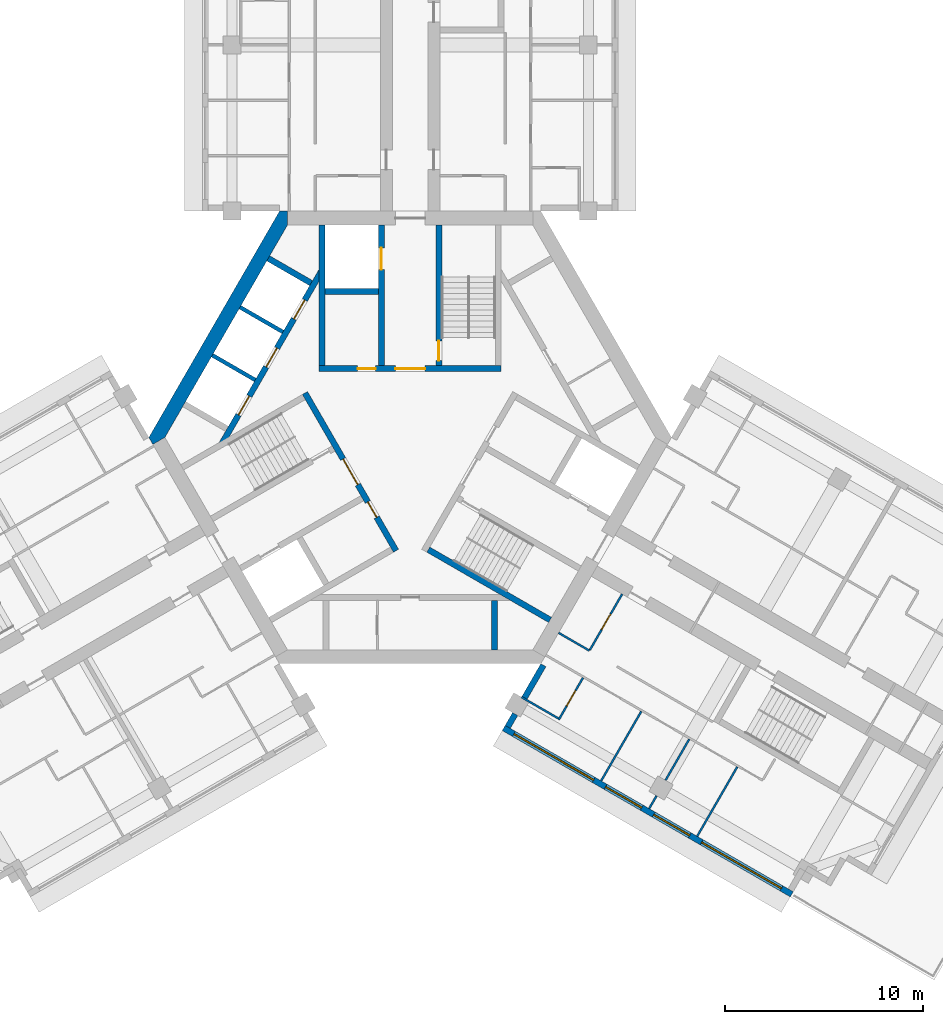
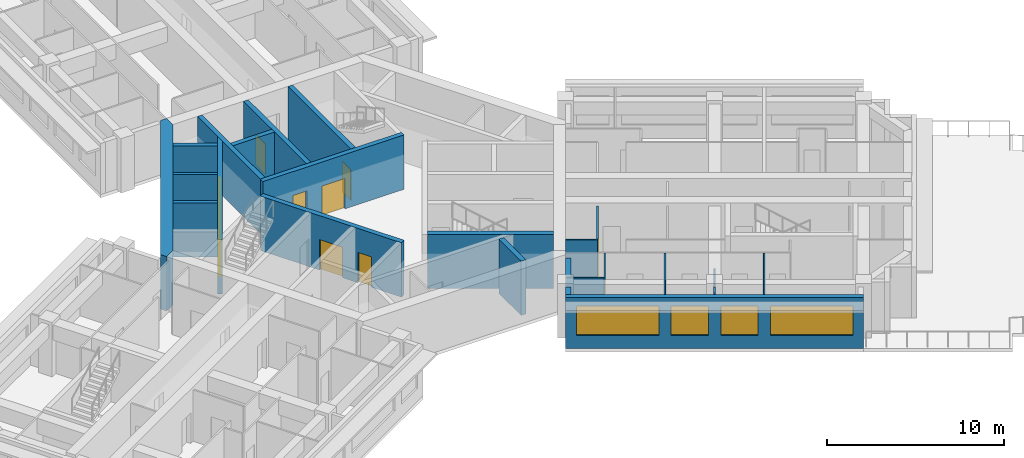
# One storey, part 4 of 11: 24 walls, 11 doors, 4 windows, 15 openings.
"""IFC4 building model written with IfcOpenShell, lengths in metres."""

from ifc_helpers import new_model, si_unit, direction, frame, frame_2d, origin, place, context, subcontext, project, spatial, polyline, rectangle, outline, extrude, material, layer, layer_set, type_object, element, fill, save


model = new_model("IFC4")

# Units and contexts
model_context = context("Model", 3, precision=1e-05, world=origin(), true_north=direction((0.0, 1.0)))
body_context = subcontext(model_context, "Body", "Model", "MODEL_VIEW")
ifc_project = project(units=[si_unit("LENGTHUNIT", "METRE"), si_unit("AREAUNIT", "SQUARE_METRE"), si_unit("VOLUMEUNIT", "CUBIC_METRE"), si_unit("PLANEANGLEUNIT", "RADIAN"), si_unit("MASSUNIT", "GRAM", prefix="KILO")], contexts=[model_context])

# Site, building, storey
site_placement = place(None, origin())
site = spatial("IfcSite", under=ifc_project, at=site_placement, CompositionType="ELEMENT")
building_placement = place(site_placement, origin())
building = spatial("IfcBuilding", under=site, at=building_placement, Name="Impinga Residences", CompositionType="ELEMENT")
storey_placement = place(building_placement, frame((0.0, 0.0, 248.5)))
storey = spatial("IfcBuildingStorey", under=building, at=storey_placement, Name="L62", CompositionType="ELEMENT", Elevation=248.5)

# Wall, openings, windows
ifc_material_1 = material(Name="Terracotta rainscreen on blockwork", Category="masonry")
ifc_layer_1 = layer(ifc_material_1, 0.300048828125)
ifc_layer_set_1 = layer_set([ifc_layer_1], Name="EW1 external wall, terracotta rainscreen on blockwork 300")
wall_type_1 = type_object("IfcWallType", Name="EW1 external wall, terracotta rainscreen on blockwork 300", PredefinedType="SOLIDWALL", material=ifc_layer_set_1)
wall_1_placement = place(storey_placement, frame((19.274169921875, -23.0791015625, 0.0), z_axis=(0.0, 0.0, 1.0), x_axis=(-0.86602562146, 0.499999622975, 0.0)))
wall_1 = element("IfcWall", 1, at=wall_1_placement, inside=storey, type_object=wall_type_1, Name="External wall EW1 L62", PredefinedType="SOLIDWALL", context=body_context, shape_type="SweptSolid", body=[
    extrude(rectangle(XDim=16.7998046875, YDim=0.300048828125, at=frame_2d((8.39990234375, 0.0))), origin(), (0.0, 0.0, 1.0), 3.530029296875),
])
opening_1_placement = place(wall_1_placement, frame((0.60009765625, 0.0, 0.89990234375)))
opening_1 = element("IfcOpeningElement", 2, at=opening_1_placement, cuts=wall_1, Name="Opening W10", PredefinedType="OPENING", context=body_context, shape_type="SweptSolid", body=[
    extrude(rectangle(XDim=4.64990234375, YDim=2.050048828125, at=frame_2d((2.324951171875, 1.02490234375))), frame((0.0, 0.159912109375, 0.0), z_axis=(0.0, -1.0, 0.0), x_axis=(1.0, 0.0, 0.0)), (0.0, 0.0, 1.0), 0.320068359375),
])
opening_2_placement = place(wall_1_placement, frame((5.949951171875, 0.0, 0.89990234375)))
opening_2 = element("IfcOpeningElement", 3, at=opening_2_placement, cuts=wall_1, Name="Opening W9", PredefinedType="OPENING", context=body_context, shape_type="SweptSolid", body=[
    extrude(rectangle(XDim=2.10009765625, YDim=2.050048828125, at=frame_2d((1.050048828125, 1.02490234375))), frame((0.0, 0.159912109375, 0.0), z_axis=(0.0, -1.0, 0.0), x_axis=(1.0, 0.0, 0.0)), (0.0, 0.0, 1.0), 0.320068359375),
])
opening_3_placement = place(wall_1_placement, frame((8.75, 0.0, 0.89990234375)))
opening_3 = element("IfcOpeningElement", 4, at=opening_3_placement, cuts=wall_1, Name="Opening W9", PredefinedType="OPENING", context=body_context, shape_type="SweptSolid", body=[
    extrude(rectangle(XDim=2.10009765625, YDim=2.050048828125, at=frame_2d((1.050048828125, 1.02490234375))), frame((0.0, 0.159912109375, 0.0), z_axis=(0.0, -1.0, 0.0), x_axis=(1.0, 0.0, 0.0)), (0.0, 0.0, 1.0), 0.320068359375),
])
opening_4_placement = place(wall_1_placement, frame((11.550048828125, 0.0, 0.89990234375)))
opening_4 = element("IfcOpeningElement", 5, at=opening_4_placement, cuts=wall_1, Name="Opening W10", PredefinedType="OPENING", context=body_context, shape_type="SweptSolid", body=[
    extrude(rectangle(XDim=4.64990234375, YDim=2.050048828125, at=frame_2d((2.324951171875, 1.02490234375))), frame((0.0, 0.159912109375, 0.0), z_axis=(0.0, -1.0, 0.0), x_axis=(1.0, 0.0, 0.0)), (0.0, 0.0, 1.0), 0.320068359375),
])
ifc_material_2 = material(Name="Aluminium window, clear double glazing", Category="aluminium")
window_type_1 = type_object("IfcWindowType", Name="W10 ribbon window 4650x2050", PartitioningType="SINGLE_PANEL", PredefinedType="WINDOW", material=ifc_material_2)
window_1_placement = place(opening_1_placement, origin())
window_1 = element("IfcWindow", 6, at=window_1_placement, inside=storey, type_object=window_type_1, Name="Window L62", OverallHeight=2.050048828125, OverallWidth=4.64990234375, PartitioningType="SINGLE_PANEL", PredefinedType="WINDOW", context=body_context, shape_type="SweptSolid", body=[
    extrude(rectangle(XDim=4.64990234375, YDim=2.050048828125, at=frame_2d((2.324951171875, 1.02490234375))), frame((0.0, 0.030029296875, 0.0), z_axis=(0.0, -1.0, 0.0), x_axis=(1.0, 0.0, 0.0)), (0.0, 0.0, 1.0), 0.06005859375),
])
fill(opening_1, window_1)
window_2_placement = place(opening_4_placement, origin())
window_2 = element("IfcWindow", 7, at=window_2_placement, inside=storey, type_object=window_type_1, Name="Window L62", OverallHeight=2.050048828125, OverallWidth=4.64990234375, PartitioningType="SINGLE_PANEL", PredefinedType="WINDOW", context=body_context, shape_type="SweptSolid", body=[
    extrude(rectangle(XDim=4.64990234375, YDim=2.050048828125, at=frame_2d((2.324951171875, 1.02490234375))), frame((0.0, 0.030029296875, 0.0), z_axis=(0.0, -1.0, 0.0), x_axis=(1.0, 0.0, 0.0)), (0.0, 0.0, 1.0), 0.06005859375),
])
fill(opening_4, window_2)
window_type_2 = type_object("IfcWindowType", Name="W9 ribbon window 2100x2050", PartitioningType="SINGLE_PANEL", PredefinedType="WINDOW", material=ifc_material_2)
window_3_placement = place(opening_2_placement, origin())
window_3 = element("IfcWindow", 8, at=window_3_placement, inside=storey, type_object=window_type_2, Name="Window L62", OverallHeight=2.050048828125, OverallWidth=2.10009765625, PartitioningType="SINGLE_PANEL", PredefinedType="WINDOW", context=body_context, shape_type="SweptSolid", body=[
    extrude(rectangle(XDim=2.10009765625, YDim=2.050048828125, at=frame_2d((1.050048828125, 1.02490234375))), frame((0.0, 0.030029296875, 0.0), z_axis=(0.0, -1.0, 0.0), x_axis=(1.0, 0.0, 0.0)), (0.0, 0.0, 1.0), 0.06005859375),
])
fill(opening_2, window_3)
window_4_placement = place(opening_3_placement, origin())
window_4 = element("IfcWindow", 9, at=window_4_placement, inside=storey, type_object=window_type_2, Name="Window L62", OverallHeight=2.050048828125, OverallWidth=2.10009765625, PartitioningType="SINGLE_PANEL", PredefinedType="WINDOW", context=body_context, shape_type="SweptSolid", body=[
    extrude(rectangle(XDim=2.10009765625, YDim=2.050048828125, at=frame_2d((1.050048828125, 1.02490234375))), frame((0.0, 0.030029296875, 0.0), z_axis=(0.0, -1.0, 0.0), x_axis=(1.0, 0.0, 0.0)), (0.0, 0.0, 1.0), 0.06005859375),
])
fill(opening_3, window_4)

# Walls
wall_2_placement = place(storey_placement, frame((4.929931640625, -14.624267578125, 0.0), z_axis=(0.0, 0.0, 1.0), x_axis=(0.499919672301, 0.866071776036, 0.0)))
element("IfcWall", 10, at=wall_2_placement, inside=storey, type_object=wall_type_1, Name="External wall EW1 L62", PredefinedType="SOLIDWALL", context=body_context, shape_type="SweptSolid", body=[
    extrude(rectangle(XDim=0.75, YDim=0.300048828125, at=frame_2d((0.375, 0.0))), origin(), (0.0, 0.0, 1.0), 3.530029296875),
])
wall_3_placement = place(storey_placement, frame((5.7548828125, -13.1953125, 0.0), z_axis=(0.0, 0.0, 1.0), x_axis=(0.500043961785, 0.866000020948, 0.0)))
element("IfcWall", 11, at=wall_3_placement, inside=storey, type_object=wall_type_1, Name="External wall EW1 L62", PredefinedType="SOLIDWALL", context=body_context, shape_type="SweptSolid", body=[
    extrude(rectangle(XDim=1.949951171875, YDim=0.300048828125, at=frame_2d((0.97509765625, 0.0))), origin(), (0.0, 0.0, 1.0), 3.530029296875),
])
ifc_material_3 = material(Name="Gypsum board on steel studs", Category="steel")
ifc_layer_2 = layer(ifc_material_3, 0.10009765625)
ifc_layer_set_2 = layer_set([ifc_layer_2], Name="Gypsum board on steel studs")
wall_type_2 = type_object("IfcWallType", Name="IP1 partition 100", PredefinedType="PARTITIONING", material=ifc_layer_set_2)
wall_4_placement = place(storey_placement, frame((7.5, -9.872802734375, 0.0), z_axis=(0.0, 0.0, 1.0), x_axis=(0.866047807691, -0.499961193289, 0.0)))
element("IfcWall", 12, at=wall_4_placement, inside=storey, type_object=wall_type_2, Name="Partition L62-EF1:DIV0", PredefinedType="PARTITIONING", context=body_context, shape_type="SweptSolid", body=[
    extrude(rectangle(XDim=1.800048828125, YDim=0.10009765625, at=frame_2d((0.89990234375, 0.0))), origin(), (0.0, 0.0, 1.0), 3.530029296875),
])

# Wall, opening, door
wall_5_placement = place(storey_placement, frame((10.708740234375, -7.914794921875, 0.0), z_axis=(0.0, 0.0, 1.0), x_axis=(-0.499984717929, -0.866034226713, 0.0)))
wall_5 = element("IfcWall", 13, at=wall_5_placement, inside=storey, type_object=wall_type_2, Name="Partition L62-EF1:IB1", PredefinedType="PARTITIONING", context=body_context, shape_type="SweptSolid", body=[
    extrude(rectangle(XDim=3.25, YDim=0.10009765625, at=frame_2d((1.625, 0.0))), origin(), (0.0, 0.0, 1.0), 3.530029296875),
])
opening_5_placement = place(wall_5_placement, frame((1.175048828125, 0.0, 0.0)))
opening_5 = element("IfcOpeningElement", 14, at=opening_5_placement, cuts=wall_5, Name="Opening D2", PredefinedType="OPENING", context=body_context, shape_type="SweptSolid", body=[
    extrude(rectangle(XDim=0.89990234375, YDim=2.10009765625, at=frame_2d((0.449951171875, 1.050048828125))), frame((0.0, 0.06005859375, 0.0), z_axis=(0.0, -1.0, 0.0), x_axis=(1.0, 0.0, 0.0)), (0.0, 0.0, 1.0), 0.1201171875),
])
ifc_material_4 = material(Name="Timber door set", Category="wood")
door_type_1 = type_object("IfcDoorType", Name="D2 internal door 900x2100", OperationType="SINGLE_SWING_LEFT", PredefinedType="DOOR", material=ifc_material_4)
door_1_placement = place(opening_5_placement, origin())
door_1 = element("IfcDoor", 15, at=door_1_placement, inside=storey, type_object=door_type_1, Name="Apartment L62-EF1 bathroom door", OperationType="SINGLE_SWING_LEFT", OverallHeight=2.10009765625, OverallWidth=0.89990234375, PredefinedType="DOOR", context=body_context, shape_type="SweptSolid", body=[
    extrude(rectangle(XDim=0.89990234375, YDim=2.10009765625, at=frame_2d((0.449951171875, 1.050048828125))), frame((0.0, 0.02490234375, 0.0), z_axis=(0.0, -1.0, 0.0), x_axis=(1.0, 0.0, 0.0)), (0.0, 0.0, 1.0), 0.050048828125),
])
fill(opening_5, door_1)

# Walls
wall_6_placement = place(storey_placement, frame((11.6748046875, -13.841796875, 0.0), z_axis=(0.0, 0.0, 1.0), x_axis=(-0.500035537042, -0.866004885491, 0.0)))
element("IfcWall", 16, at=wall_6_placement, inside=storey, type_object=wall_type_2, Name="Partition L62-EF1:OB1", PredefinedType="PARTITIONING", context=body_context, shape_type="SweptSolid", body=[
    extrude(rectangle(XDim=4.050048828125, YDim=0.10009765625, at=frame_2d((2.02490234375, 0.0))), origin(), (0.0, 0.0, 1.0), 3.530029296875),
])
wall_7_placement = place(storey_placement, frame((14.099609375, -15.241943359375, 0.0), z_axis=(0.0, 0.0, 1.0), x_axis=(-0.500001309137, -0.866024647952, 0.0)))
element("IfcWall", 17, at=wall_7_placement, inside=storey, type_object=wall_type_2, Name="Partition L62-EF1:OB2", PredefinedType="PARTITIONING", context=body_context, shape_type="SweptSolid", body=[
    extrude(rectangle(XDim=2.39990234375, YDim=0.10009765625, at=frame_2d((1.199951171875, 0.0))), origin(), (0.0, 0.0, 1.0), 2.47998046875),
])
wall_8_placement = place(storey_placement, frame((12.44970703125, -18.099609375, 0.0), z_axis=(0.0, 0.0, 1.0), x_axis=(-0.499919672301, -0.866071776036, 0.0)))
element("IfcWall", 18, at=wall_8_placement, inside=storey, type_object=wall_type_2, Name="Partition L62-EF1:OB2b", PredefinedType="PARTITIONING", context=body_context, shape_type="SweptSolid", body=[
    extrude(rectangle(XDim=0.75, YDim=0.10009765625, at=frame_2d((0.375, 0.0))), origin(), (0.0, 0.0, 1.0), 3.530029296875),
])
wall_9_placement = place(storey_placement, frame((16.5244140625, -16.641845703125, 0.0), z_axis=(0.0, 0.0, 1.0), x_axis=(-0.499990325971, -0.866030989016, 0.0)))
element("IfcWall", 19, at=wall_9_placement, inside=storey, type_object=wall_type_2, Name="Partition L62-EF1:OB3", PredefinedType="PARTITIONING", context=body_context, shape_type="SweptSolid", body=[
    extrude(rectangle(XDim=4.0498046875, YDim=0.10009765625, at=frame_2d((2.02490234375, 0.0))), origin(), (0.0, 0.0, 1.0), 3.530029296875),
])

# Wall, opening, door
wall_10_placement = place(storey_placement, frame((8.730224609375, -12.141845703125, 0.0), z_axis=(0.0, 0.0, 1.0), x_axis=(-0.499943856944, -0.866057815567, 0.0)))
wall_10 = element("IfcWall", 20, at=wall_10_placement, inside=storey, type_object=wall_type_2, Name="Partition L62-EF1:EN1", PredefinedType="PARTITIONING", context=body_context, shape_type="SweptSolid", body=[
    extrude(rectangle(XDim=2.449951171875, YDim=0.10009765625, at=frame_2d((1.22509765625, 0.0))), origin(), (0.0, 0.0, 1.0), 3.530029296875),
])
opening_6_placement = place(wall_10_placement, frame((0.75, 0.0, 0.0)))
opening_6 = element("IfcOpeningElement", 21, at=opening_6_placement, cuts=wall_10, Name="Opening D2", PredefinedType="OPENING", context=body_context, shape_type="SweptSolid", body=[
    extrude(rectangle(XDim=0.89990234375, YDim=2.10009765625, at=frame_2d((0.449951171875, 1.050048828125))), frame((0.0, 0.06005859375, 0.0), z_axis=(0.0, -1.0, 0.0), x_axis=(1.0, 0.0, 0.0)), (0.0, 0.0, 1.0), 0.1201171875),
])
door_2_placement = place(opening_6_placement, origin())
door_2 = element("IfcDoor", 22, at=door_2_placement, inside=storey, type_object=door_type_1, Name="Apartment L62-EF1 en-suite door", OperationType="SINGLE_SWING_LEFT", OverallHeight=2.10009765625, OverallWidth=0.89990234375, PredefinedType="DOOR", context=body_context, shape_type="SweptSolid", body=[
    extrude(rectangle(XDim=0.89990234375, YDim=2.10009765625, at=frame_2d((0.449951171875, 1.050048828125))), frame((0.0, 0.02490234375, 0.0), z_axis=(0.0, -1.0, 0.0), x_axis=(1.0, 0.0, 0.0)), (0.0, 0.0, 1.0), 0.050048828125),
])
fill(opening_6, door_2)

# Walls
wall_11_placement = place(storey_placement, frame((5.625, -13.120361328125, 0.0), z_axis=(0.0, 0.0, 1.0), x_axis=(0.866047553582, -0.499961633463, 0.0)))
element("IfcWall", 23, at=wall_11_placement, inside=storey, type_object=wall_type_2, Name="Partition L62-EF1:EN2", PredefinedType="PARTITIONING", context=body_context, shape_type="SweptSolid", body=[
    extrude(rectangle(XDim=2.150146484375, YDim=0.10009765625, at=frame_2d((1.0751953125, 0.0))), origin(), (0.0, 0.0, 1.0), 3.530029296875),
])
ifc_material_5 = material(Name="Concrete C60/75", Category="concrete")
ifc_layer_3 = layer(ifc_material_5, 0.699951171875)
ifc_layer_set_3 = layer_set([ifc_layer_3], Name="Concrete C60/75")
wall_type_3 = type_object("IfcWallType", Name="SW3 core wall 700", PredefinedType="SHEAR", material=ifc_layer_set_3)
wall_12_placement = place(storey_placement, origin())
element("IfcWall", 24, at=wall_12_placement, inside=storey, type_object=wall_type_3, Name="Core wall SW3 E:EXPOSED L62", PredefinedType="SHEAR", context=body_context, shape_type="SweptSolid", body=[
    extrude(outline(polyline([(-6.60009765625, 11.431640625), (-13.199951171875, 0.0), (-12.998046875, -0.35009765625), (-12.3916015625, 0.0), (-6.19580078125, 10.7314453125), (-6.19580078125, 11.431640625), (-6.60009765625, 11.431640625)])), origin(), (0.0, 0.0, 1.0), 3.75),
])

# Wall, openings, doors
ifc_material_6 = material(Name="Concrete C70/85", Category="concrete")
ifc_layer_4 = layer(ifc_material_6, 0.300048828125)
ifc_layer_set_4 = layer_set([ifc_layer_4], Name="Concrete C70/85")
wall_type_4 = type_object("IfcWallType", Name="SW5 core inner wall, stairs, shafts and lobbies 300", PredefinedType="SHEAR", material=ifc_layer_set_4)
wall_13_placement = place(storey_placement, frame((-4.60009765625, 3.47998046875, 0.0), z_axis=(0.0, 0.0, 1.0), x_axis=(1.0, 0.0, 0.0)))
wall_13 = element("IfcWall", 25, at=wall_13_placement, inside=storey, type_object=wall_type_4, Name="Core wall SW5 N:ZONE L62", PredefinedType="SHEAR", context=body_context, shape_type="SweptSolid", body=[
    extrude(rectangle(XDim=9.2001953125, YDim=0.300048828125, at=frame_2d((4.60009765625, 0.0))), origin(), (0.0, 0.0, 1.0), 3.75),
])
opening_7_placement = place(wall_13_placement, frame((3.85009765625, 0.0, 0.0)))
opening_7 = element("IfcOpeningElement", 26, at=opening_7_placement, cuts=wall_13, Name="Opening D4", PredefinedType="OPENING", context=body_context, shape_type="SweptSolid", body=[
    extrude(rectangle(XDim=1.5, YDim=2.10009765625, at=frame_2d((0.75, 1.050048828125))), frame((0.0, 0.159912109375, 0.0), z_axis=(0.0, -1.0, 0.0), x_axis=(1.0, 0.0, 0.0)), (0.0, 0.0, 1.0), 0.320068359375),
])
opening_8_placement = place(wall_13_placement, frame((1.949951171875, 0.0, 0.0)))
opening_8 = element("IfcOpeningElement", 27, at=opening_8_placement, cuts=wall_13, Name="Opening D6", PredefinedType="OPENING", context=body_context, shape_type="SweptSolid", body=[
    extrude(rectangle(XDim=0.89990234375, YDim=2.10009765625, at=frame_2d((0.449951171875, 1.050048828125))), frame((0.0, 0.159912109375, 0.0), z_axis=(0.0, -1.0, 0.0), x_axis=(1.0, 0.0, 0.0)), (0.0, 0.0, 1.0), 0.320068359375),
])
door_type_2 = type_object("IfcDoorType", Name="D4 lobby door pair 1500x2100", OperationType="DOUBLE_DOOR_DOUBLE_SWING", PredefinedType="DOOR", material=ifc_material_4)
door_3_placement = place(opening_7_placement, origin())
door_3 = element("IfcDoor", 28, at=door_3_placement, inside=storey, type_object=door_type_2, Name="Firefighting lobby door N", OperationType="DOUBLE_DOOR_DOUBLE_SWING", OverallHeight=2.10009765625, OverallWidth=1.5, PredefinedType="DOOR", context=body_context, shape_type="SweptSolid", body=[
    extrude(rectangle(XDim=1.5, YDim=2.10009765625, at=frame_2d((0.75, 1.050048828125))), frame((0.0, 0.02490234375, 0.0), z_axis=(0.0, -1.0, 0.0), x_axis=(1.0, 0.0, 0.0)), (0.0, 0.0, 1.0), 0.050048828125),
])
fill(opening_7, door_3)
door_type_3 = type_object("IfcDoorType", Name="D6 riser and store door 900x2100", OperationType="SINGLE_SWING_LEFT", PredefinedType="DOOR", material=ifc_material_4)
door_4_placement = place(opening_8_placement, origin())
door_4 = element("IfcDoor", 29, at=door_4_placement, inside=storey, type_object=door_type_3, Name="Riser door N", OperationType="SINGLE_SWING_LEFT", OverallHeight=2.10009765625, OverallWidth=0.89990234375, PredefinedType="DOOR", context=body_context, shape_type="SweptSolid", body=[
    extrude(rectangle(XDim=0.89990234375, YDim=2.10009765625, at=frame_2d((0.449951171875, 1.050048828125))), frame((0.0, 0.02490234375, 0.0), z_axis=(0.0, -1.0, 0.0), x_axis=(1.0, 0.0, 0.0)), (0.0, 0.0, 1.0), 0.050048828125),
])
fill(opening_8, door_4)

# Wall, opening, door
wall_14_placement = place(storey_placement, frame((1.449951171875, 3.6298828125, 0.0), z_axis=(0.0, 0.0, 1.0), x_axis=(0.0, 1.0, 0.0)))
wall_14 = element("IfcWall", 30, at=wall_14_placement, inside=storey, type_object=wall_type_4, Name="Core wall SW5 N:ST-IN L62", PredefinedType="SHEAR", context=body_context, shape_type="SweptSolid", body=[
    extrude(rectangle(XDim=7.1015625, YDim=0.300048828125, at=frame_2d((3.55078125, 0.0))), origin(), (0.0, 0.0, 1.0), 3.75),
])
opening_9_placement = place(wall_14_placement, frame((0.25, 0.0, 0.0)))
opening_9 = element("IfcOpeningElement", 31, at=opening_9_placement, cuts=wall_14, Name="Opening D5", PredefinedType="OPENING", context=body_context, shape_type="SweptSolid", body=[
    extrude(rectangle(XDim=1.0, YDim=2.10009765625, at=frame_2d((0.5, 1.050048828125))), frame((0.0, 0.159912109375, 0.0), z_axis=(0.0, -1.0, 0.0), x_axis=(1.0, 0.0, 0.0)), (0.0, 0.0, 1.0), 0.320068359375),
])
door_type_4 = type_object("IfcDoorType", Name="D5 stair door 1000x2100", OperationType="SINGLE_SWING_LEFT", PredefinedType="DOOR", material=ifc_material_4)
door_5_placement = place(opening_9_placement, origin())
door_5 = element("IfcDoor", 32, at=door_5_placement, inside=storey, type_object=door_type_4, Name="Stair door N", OperationType="SINGLE_SWING_LEFT", OverallHeight=2.10009765625, OverallWidth=1.0, PredefinedType="DOOR", context=body_context, shape_type="SweptSolid", body=[
    extrude(rectangle(XDim=1.0, YDim=2.10009765625, at=frame_2d((0.5, 1.050048828125))), frame((0.0, 0.02490234375, 0.0), z_axis=(0.0, -1.0, 0.0), x_axis=(1.0, 0.0, 0.0)), (0.0, 0.0, 1.0), 0.050048828125),
])
fill(opening_9, door_5)

wall_15_placement = place(storey_placement, frame((-1.449951171875, 3.6298828125, 0.0), z_axis=(0.0, 0.0, 1.0), x_axis=(0.0, 1.0, 0.0)))
wall_15 = element("IfcWall", 33, at=wall_15_placement, inside=storey, type_object=wall_type_4, Name="Core wall SW5 N:FF-IN L62", PredefinedType="SHEAR", context=body_context, shape_type="SweptSolid", body=[
    extrude(rectangle(XDim=7.1015625, YDim=0.300048828125, at=frame_2d((3.55078125, 0.0))), origin(), (0.0, 0.0, 1.0), 3.75),
])
opening_10_placement = place(wall_15_placement, frame((4.85009765625, 0.0, 0.0)))
opening_10 = element("IfcOpeningElement", 34, at=opening_10_placement, cuts=wall_15, Name="Opening LD2", PredefinedType="OPENING", context=body_context, shape_type="SweptSolid", body=[
    extrude(rectangle(XDim=1.10009765625, YDim=2.10009765625, at=frame_2d((0.550048828125, 1.050048828125))), frame((0.0, 0.159912109375, 0.0), z_axis=(0.0, -1.0, 0.0), x_axis=(1.0, 0.0, 0.0)), (0.0, 0.0, 1.0), 0.320068359375),
])
ifc_material_7 = material(Name="Steel lift landing door", Category="steel")
door_type_5 = type_object("IfcDoorType", Name="LD2 firefighting lift landing door 1100x2100", OperationType="DOUBLE_DOOR_SLIDING", PredefinedType="DOOR", material=ifc_material_7)
door_6_placement = place(opening_10_placement, origin())
door_6 = element("IfcDoor", 35, at=door_6_placement, inside=storey, type_object=door_type_5, Name="Firefighting lift landing door F1", OperationType="DOUBLE_DOOR_SLIDING", OverallHeight=2.10009765625, OverallWidth=1.10009765625, PredefinedType="DOOR", context=body_context, shape_type="SweptSolid", body=[
    extrude(rectangle(XDim=1.10009765625, YDim=2.10009765625, at=frame_2d((0.550048828125, 1.050048828125))), frame((0.0, 0.02490234375, 0.0), z_axis=(0.0, -1.0, 0.0), x_axis=(1.0, 0.0, 0.0)), (0.0, 0.0, 1.0), 0.050048828125),
])
fill(opening_10, door_6)

# Walls
wall_16_placement = place(storey_placement, frame((-4.449951171875, 3.6298828125, 0.0), z_axis=(0.0, 0.0, 1.0), x_axis=(0.0, 1.0, 0.0)))
element("IfcWall", 36, at=wall_16_placement, inside=storey, type_object=wall_type_4, Name="Core wall SW5 N:FF-OUT L62", PredefinedType="SHEAR", context=body_context, shape_type="SweptSolid", body=[
    extrude(rectangle(XDim=7.1015625, YDim=0.300048828125, at=frame_2d((3.55078125, 0.0))), origin(), (0.0, 0.0, 1.0), 3.75),
])
wall_17_placement = place(storey_placement, frame((-4.300048828125, 7.3798828125, 0.0), z_axis=(0.0, 0.0, 1.0), x_axis=(1.0, 0.0, 0.0)))
element("IfcWall", 37, at=wall_17_placement, inside=storey, type_object=wall_type_4, Name="Core wall SW5 N:FF-RS L62", PredefinedType="SHEAR", context=body_context, shape_type="SweptSolid", body=[
    extrude(rectangle(XDim=2.699951171875, YDim=0.300048828125, at=frame_2d((1.35009765625, 0.0))), origin(), (0.0, 0.0, 1.0), 3.75),
])

# Wall, openings, doors
wall_18_placement = place(storey_placement, frame((-0.7138671875, -5.7236328125, 0.0), z_axis=(0.0, 0.0, 1.0), x_axis=(-0.499995050369, 0.866028261437, 0.0)))
wall_18 = element("IfcWall", 38, at=wall_18_placement, inside=storey, type_object=wall_type_4, Name="Core wall SW5 W:ZONE L62", PredefinedType="SHEAR", context=body_context, shape_type="SweptSolid", body=[
    extrude(rectangle(XDim=9.19970703125, YDim=0.300048828125, at=frame_2d((4.599853515625, 0.0))), origin(), (0.0, 0.0, 1.0), 3.75),
])
opening_11_placement = place(wall_18_placement, frame((3.85009765625, 0.0, 0.0)))
opening_11 = element("IfcOpeningElement", 39, at=opening_11_placement, cuts=wall_18, Name="Opening D4", PredefinedType="OPENING", context=body_context, shape_type="SweptSolid", body=[
    extrude(rectangle(XDim=1.5, YDim=2.10009765625, at=frame_2d((0.75, 1.050048828125))), frame((0.0, 0.159912109375, 0.0), z_axis=(0.0, -1.0, 0.0), x_axis=(1.0, 0.0, 0.0)), (0.0, 0.0, 1.0), 0.320068359375),
])
opening_12_placement = place(wall_18_placement, frame((1.949951171875, 0.0, 0.0)))
opening_12 = element("IfcOpeningElement", 40, at=opening_12_placement, cuts=wall_18, Name="Opening D6", PredefinedType="OPENING", context=body_context, shape_type="SweptSolid", body=[
    extrude(rectangle(XDim=0.89990234375, YDim=2.10009765625, at=frame_2d((0.449951171875, 1.050048828125))), frame((0.0, 0.159912109375, 0.0), z_axis=(0.0, -1.0, 0.0), x_axis=(1.0, 0.0, 0.0)), (0.0, 0.0, 1.0), 0.320068359375),
])
door_7_placement = place(opening_11_placement, origin())
door_7 = element("IfcDoor", 41, at=door_7_placement, inside=storey, type_object=door_type_2, Name="Firefighting lobby door W", OperationType="DOUBLE_DOOR_DOUBLE_SWING", OverallHeight=2.10009765625, OverallWidth=1.5, PredefinedType="DOOR", context=body_context, shape_type="SweptSolid", body=[
    extrude(rectangle(XDim=1.5, YDim=2.10009765625, at=frame_2d((0.75, 1.050048828125))), frame((0.0, 0.02490234375, 0.0), z_axis=(0.0, -1.0, 0.0), x_axis=(1.0, 0.0, 0.0)), (0.0, 0.0, 1.0), 0.050048828125),
])
fill(opening_11, door_7)
door_8_placement = place(opening_12_placement, origin())
door_8 = element("IfcDoor", 42, at=door_8_placement, inside=storey, type_object=door_type_3, Name="Riser door W", OperationType="SINGLE_SWING_LEFT", OverallHeight=2.10009765625, OverallWidth=0.89990234375, PredefinedType="DOOR", context=body_context, shape_type="SweptSolid", body=[
    extrude(rectangle(XDim=0.89990234375, YDim=2.10009765625, at=frame_2d((0.449951171875, 1.050048828125))), frame((0.0, 0.02490234375, 0.0), z_axis=(0.0, -1.0, 0.0), x_axis=(1.0, 0.0, 0.0)), (0.0, 0.0, 1.0), 0.050048828125),
])
fill(opening_12, door_8)

# Walls
wall_19_placement = place(storey_placement, frame((0.918701171875, -5.668701171875, 0.0), z_axis=(0.0, 0.0, 1.0), x_axis=(0.866025859768, -0.499999210213, 0.0)))
element("IfcWall", 43, at=wall_19_placement, inside=storey, type_object=wall_type_4, Name="Core wall SW5 E:ST-OUT L62", PredefinedType="SHEAR", context=body_context, shape_type="SweptSolid", body=[
    extrude(rectangle(XDim=7.1015625, YDim=0.300048828125, at=frame_2d((3.55078125, 0.0))), origin(), (0.0, 0.0, 1.0), 3.75),
])
wall_20_placement = place(storey_placement, frame((4.25, -8.2314453125, 0.0), z_axis=(0.0, 0.0, 1.0), x_axis=(0.0, -1.0, 0.0)))
element("IfcWall", 44, at=wall_20_placement, inside=storey, type_object=wall_type_4, Name="Core wall SW5 N:BANK-L L62", PredefinedType="SHEAR", context=body_context, shape_type="SweptSolid", body=[
    extrude(rectangle(XDim=2.5, YDim=0.300048828125, at=frame_2d((1.25, 0.0))), origin(), (0.0, 0.0, 1.0), 3.75),
])

# Wall, openings, doors
wall_21_placement = place(storey_placement, frame((-9.547607421875, -0.3740234375, 0.0), z_axis=(0.0, 0.0, 1.0), x_axis=(0.500002290144, 0.866024081565, 0.0)))
wall_21 = element("IfcWall", 45, at=wall_21_placement, inside=storey, type_object=wall_type_4, Name="Core wall SW5 E:BANK-FRONT L62", PredefinedType="SHEAR", context=body_context, shape_type="SweptSolid", body=[
    extrude(rectangle(XDim=10.1953125, YDim=0.300048828125, at=frame_2d((5.09765625, 0.0))), origin(), (0.0, 0.0, 1.0), 3.75),
])
opening_13_placement = place(wall_21_placement, frame((1.74755859375, 0.0, 0.0)))
opening_13 = element("IfcOpeningElement", 46, at=opening_13_placement, cuts=wall_21, Name="Opening LD1", PredefinedType="OPENING", context=body_context, shape_type="SweptSolid", body=[
    extrude(rectangle(XDim=1.10009765625, YDim=2.10009765625, at=frame_2d((0.550048828125, 1.050048828125))), frame((0.0, 0.159912109375, 0.0), z_axis=(0.0, -1.0, 0.0), x_axis=(1.0, 0.0, 0.0)), (0.0, 0.0, 1.0), 0.320068359375),
])
opening_14_placement = place(wall_21_placement, frame((4.547607421875, 0.0, 0.0)))
opening_14 = element("IfcOpeningElement", 47, at=opening_14_placement, cuts=wall_21, Name="Opening LD1", PredefinedType="OPENING", context=body_context, shape_type="SweptSolid", body=[
    extrude(rectangle(XDim=1.10009765625, YDim=2.10009765625, at=frame_2d((0.550048828125, 1.050048828125))), frame((0.0, 0.159912109375, 0.0), z_axis=(0.0, -1.0, 0.0), x_axis=(1.0, 0.0, 0.0)), (0.0, 0.0, 1.0), 0.320068359375),
])
opening_15_placement = place(wall_21_placement, frame((7.34765625, 0.0, 0.0)))
opening_15 = element("IfcOpeningElement", 48, at=opening_15_placement, cuts=wall_21, Name="Opening LD1", PredefinedType="OPENING", context=body_context, shape_type="SweptSolid", body=[
    extrude(rectangle(XDim=1.10009765625, YDim=2.10009765625, at=frame_2d((0.550048828125, 1.050048828125))), frame((0.0, 0.159912109375, 0.0), z_axis=(0.0, -1.0, 0.0), x_axis=(1.0, 0.0, 0.0)), (0.0, 0.0, 1.0), 0.320068359375),
])
door_type_6 = type_object("IfcDoorType", Name="LD1 passenger lift landing door 1100x2100", OperationType="DOUBLE_DOOR_SLIDING", PredefinedType="DOOR", material=ifc_material_7)
door_9_placement = place(opening_13_placement, origin())
door_9 = element("IfcDoor", 49, at=door_9_placement, inside=storey, type_object=door_type_6, Name="Lift landing door P7", OperationType="DOUBLE_DOOR_SLIDING", OverallHeight=2.10009765625, OverallWidth=1.10009765625, PredefinedType="DOOR", context=body_context, shape_type="SweptSolid", body=[
    extrude(rectangle(XDim=1.10009765625, YDim=2.10009765625, at=frame_2d((0.550048828125, 1.050048828125))), frame((0.0, 0.02490234375, 0.0), z_axis=(0.0, -1.0, 0.0), x_axis=(1.0, 0.0, 0.0)), (0.0, 0.0, 1.0), 0.050048828125),
])
fill(opening_13, door_9)
door_10_placement = place(opening_14_placement, origin())
door_10 = element("IfcDoor", 50, at=door_10_placement, inside=storey, type_object=door_type_6, Name="Lift landing door P8", OperationType="DOUBLE_DOOR_SLIDING", OverallHeight=2.10009765625, OverallWidth=1.10009765625, PredefinedType="DOOR", context=body_context, shape_type="SweptSolid", body=[
    extrude(rectangle(XDim=1.10009765625, YDim=2.10009765625, at=frame_2d((0.550048828125, 1.050048828125))), frame((0.0, 0.02490234375, 0.0), z_axis=(0.0, -1.0, 0.0), x_axis=(1.0, 0.0, 0.0)), (0.0, 0.0, 1.0), 0.050048828125),
])
fill(opening_14, door_10)
door_11_placement = place(opening_15_placement, origin())
door_11 = element("IfcDoor", 51, at=door_11_placement, inside=storey, type_object=door_type_6, Name="Lift landing door P9", OperationType="DOUBLE_DOOR_SLIDING", OverallHeight=2.10009765625, OverallWidth=1.10009765625, PredefinedType="DOOR", context=body_context, shape_type="SweptSolid", body=[
    extrude(rectangle(XDim=1.10009765625, YDim=2.10009765625, at=frame_2d((0.550048828125, 1.050048828125))), frame((0.0, 0.02490234375, 0.0), z_axis=(0.0, -1.0, 0.0), x_axis=(1.0, 0.0, 0.0)), (0.0, 0.0, 1.0), 0.050048828125),
])
fill(opening_15, door_11)

# Walls
wall_22_placement = place(storey_placement, frame((-5.003662109375, 7.79638671875, 0.0), z_axis=(0.0, 0.0, 1.0), x_axis=(-0.866022959057, 0.500004234368, 0.0)))
element("IfcWall", 52, at=wall_22_placement, inside=storey, type_object=wall_type_4, Name="Core wall SW5 E:BANK-R L62", PredefinedType="SHEAR", context=body_context, shape_type="SweptSolid", body=[
    extrude(rectangle(XDim=2.5, YDim=0.300048828125, at=frame_2d((1.25, 0.0))), origin(), (0.0, 0.0, 1.0), 3.75),
])
ifc_layer_5 = layer(ifc_material_6, 0.199951171875)
ifc_layer_set_5 = layer_set([ifc_layer_5], Name="Concrete C70/85")
wall_type_5 = type_object("IfcWallType", Name="SW6 lift shaft divider wall 200", PredefinedType="SHEAR", material=ifc_layer_set_5)
wall_23_placement = place(storey_placement, frame((-7.82861328125, 2.9033203125, 0.0), z_axis=(0.0, 0.0, 1.0), x_axis=(-0.866047370643, 0.499961950354, 0.0)))
element("IfcWall", 53, at=wall_23_placement, inside=storey, type_object=wall_type_5, Name="Core wall SW6 E:BANK-D1 L62", PredefinedType="SHEAR", context=body_context, shape_type="SweptSolid", body=[
    extrude(rectangle(XDim=2.500244140625, YDim=0.199951171875, at=frame_2d((1.25, 0.0))), origin(), (0.0, 0.0, 1.0), 3.75),
])
wall_24_placement = place(storey_placement, frame((-6.4287109375, 5.328125, 0.0), z_axis=(0.0, 0.0, 1.0), x_axis=(-0.866022959057, 0.500004234368, 0.0)))
element("IfcWall", 54, at=wall_24_placement, inside=storey, type_object=wall_type_5, Name="Core wall SW6 E:BANK-D2 L62", PredefinedType="SHEAR", context=body_context, shape_type="SweptSolid", body=[
    extrude(rectangle(XDim=2.5, YDim=0.199951171875, at=frame_2d((1.25, 0.0))), origin(), (0.0, 0.0, 1.0), 3.75),
])

save(model, "model.ifc")
